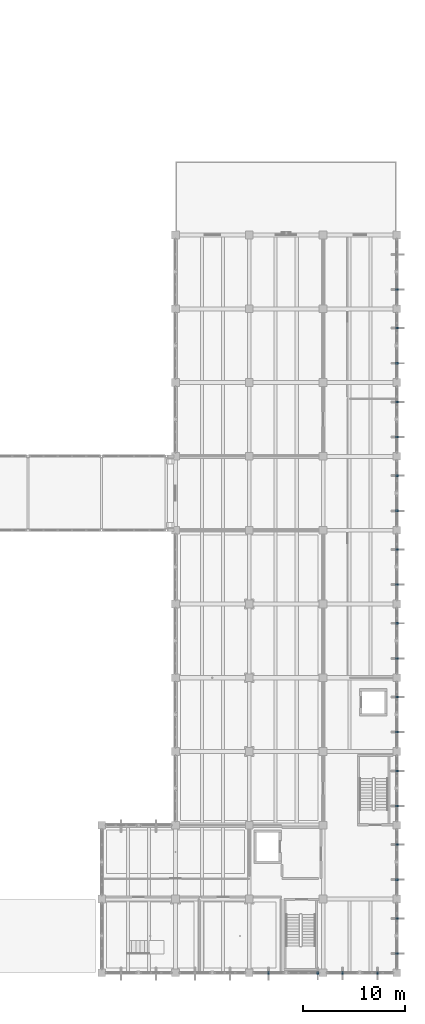
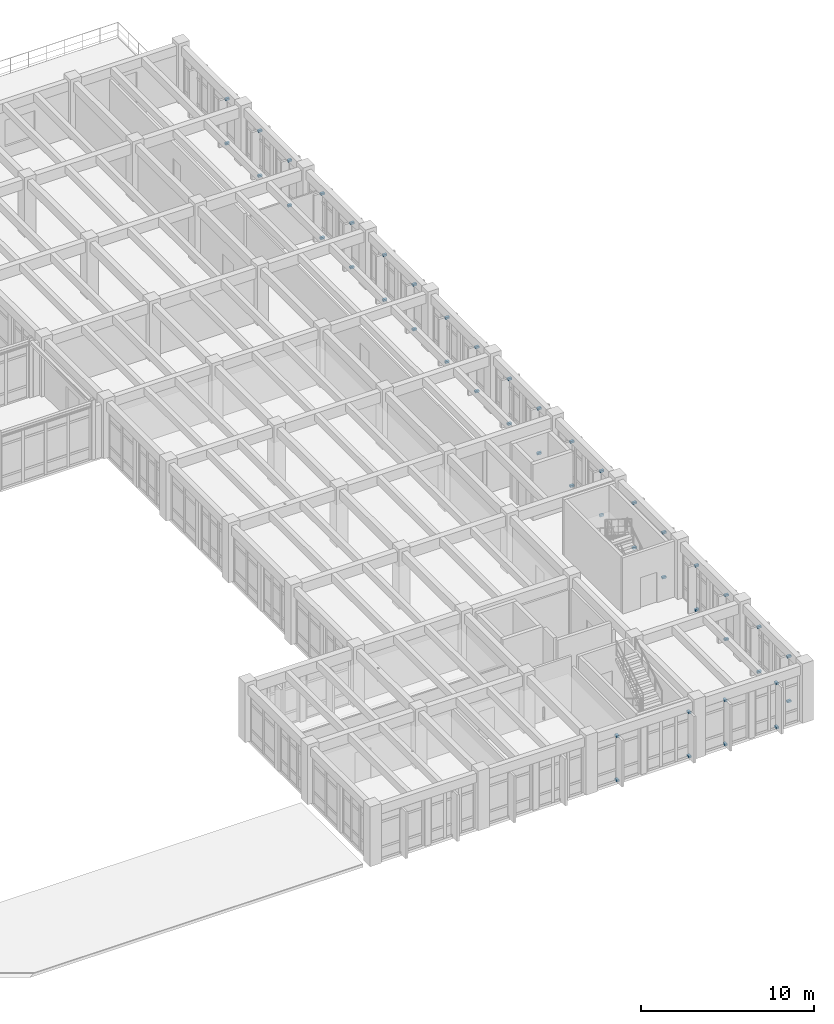
# One storey, part 127 of 136: 46 discrete accessories.
"""IFC4 building model written with IfcOpenShell, lengths in metres."""

import ifcopenshell
import ifcopenshell.guid

model = None  # the IFC model being written
_history = None  # IfcOwnerHistory: only IFC2X3 demands one
_inside = {}  # id of a spatial element -> (the spatial element, [elements in it])
_under = {}  # id of a project, library or spatial element -> (it, [spatial elements below it])
_declared = {}  # id of a project -> (the project, [libraries it declares])
_typed = {}  # id of a type object -> (the type object, [elements of that type])
_made_of = {}  # id of a material, layer set ... -> (it, [elements and type objects made of it])


def new_model(schema):
    """Start an empty IFC model of exactly this schema.

    Asked for "IFC4X3", IfcOpenShell would pick the latest addendum, in which some entities
    have other attributes; the version numbers below select the first issue.
    IFC2X3 requires an IfcOwnerHistory on every rooted entity: one is made here for all.
    """
    global model, _history
    if schema == "IFC4X3":
        model = ifcopenshell.file(schema_version=(4, 3, 0, 0))
    else:
        model = ifcopenshell.file(schema=schema)
    _inside.clear()
    _under.clear()
    _declared.clear()
    _typed.clear()
    _made_of.clear()
    _history = None
    if model.schema == "IFC2X3":
        org = make("IfcOrganization", Name="unknown")
        user = make(
            "IfcPersonAndOrganization",
            ThePerson=make("IfcPerson", FamilyName="unknown"),
            TheOrganization=org,
        )
        app = make(
            "IfcApplication",
            ApplicationDeveloper=org,
            Version="unknown",
            ApplicationFullName="unknown",
            ApplicationIdentifier="unknown",
        )
        _history = make(
            "IfcOwnerHistory",
            OwningUser=user,
            OwningApplication=app,
            ChangeAction="ADDED",
            CreationDate=0,
        )
    return model


def make(cls, **values):
    """One entity of the class cls with the attributes given. An attribute that is None is left unset."""
    return model.create_entity(
        cls, **{name: value for name, value in values.items() if value is not None}
    )


def rooted(cls, **values):
    """An entity with a GlobalId (a new one), such as an element, a storey or a relation."""
    return make(cls, GlobalId=ifcopenshell.guid.new(), OwnerHistory=_history, **values)


def si_unit(unit_type, name, prefix=None):
    """IfcSIUnit, for example si_unit("LENGTHUNIT", "METRE", prefix="MILLI")."""
    return make("IfcSIUnit", UnitType=unit_type, Prefix=prefix, Name=name)


def assignment(units):
    """IfcUnitAssignment: the units of a project."""
    return None if units is None else make("IfcUnitAssignment", Units=units)


def point(xyz):
    """IfcCartesianPoint."""
    return None if xyz is None else make("IfcCartesianPoint", Coordinates=xyz)


def direction(xyz):
    """IfcDirection."""
    return None if xyz is None else make("IfcDirection", DirectionRatios=xyz)


def frame(location, z_axis=None, x_axis=None):
    """IfcAxis2Placement3D, a coordinate frame: its origin and axes. An axis left out is left unset."""
    return make(
        "IfcAxis2Placement3D",
        Location=point(location),
        Axis=direction(z_axis),
        RefDirection=direction(x_axis),
    )


def frame_2d(location, x_axis=None):
    """IfcAxis2Placement2D, a coordinate frame in the plane: its origin and x axis."""
    return make(
        "IfcAxis2Placement2D", Location=point(location), RefDirection=direction(x_axis)
    )


def origin():
    """The frame at (0, 0, 0) with its axes left unset."""
    return frame((0.0, 0.0, 0.0))


def origin_2d():
    """The frame at (0, 0) in the plane with its x axis left unset."""
    return frame_2d((0.0, 0.0))


def place(relative_to, where):
    """IfcLocalPlacement: puts the frame where relative to a parent placement (None: the world)."""
    return make(
        "IfcLocalPlacement", PlacementRelTo=relative_to, RelativePlacement=where
    )


def context(
    kind, dimensions, precision=None, world=None, true_north=None, identifier=None
):
    """IfcGeometricRepresentationContext, for example the 3D "Model" context."""
    return make(
        "IfcGeometricRepresentationContext",
        ContextIdentifier=identifier,
        ContextType=kind,
        CoordinateSpaceDimension=dimensions,
        Precision=precision,
        WorldCoordinateSystem=world,
        TrueNorth=true_north,
    )


def subcontext(parent, identifier, kind, view, scale=None):
    """IfcGeometricRepresentationSubContext, for example "Body" below "Model"."""
    return make(
        "IfcGeometricRepresentationSubContext",
        ContextIdentifier=identifier,
        ContextType=kind,
        ParentContext=parent,
        TargetScale=scale,
        TargetView=view,
    )


def project(units=None, contexts=None):
    """IfcProject with its units and contexts."""
    return rooted(
        "IfcProject",
        Name="project",
        RepresentationContexts=contexts,
        UnitsInContext=assignment(units),
    )


def spatial(cls, under=None, at=None, **own):
    """A site, building, storey or space (cls), placed at a placement, below another one or the project."""
    s = rooted(cls, ObjectPlacement=at, **own)
    if under is not None:
        _under.setdefault(under.id(), (under, []))[1].append(s)
    return s


def profile(cls, at=None, kind="AREA", **sizes):
    """A parametric profile (cls). Its sizes go by their IFC names, for example OverallWidth=200.0."""
    return make(cls, ProfileType=kind, Position=at, **sizes)


def rectangle(**sizes):
    """IfcRectangleProfileDef."""
    return profile("IfcRectangleProfileDef", **sizes)


def extrude(swept, where, along, depth):
    """IfcExtrudedAreaSolid: the profile swept, set in the frame where, extruded along a direction by depth."""
    return make(
        "IfcExtrudedAreaSolid",
        SweptArea=swept,
        Position=where,
        ExtrudedDirection=direction(along),
        Depth=depth,
    )


def shape(context_of_items, identifier, shape_type, items):
    """IfcShapeRepresentation: the items that make up one representation, for example the "Body"."""
    return make(
        "IfcShapeRepresentation",
        ContextOfItems=context_of_items,
        RepresentationIdentifier=identifier,
        RepresentationType=shape_type,
        Items=items,
    )


def material(Name=None, Category=None):
    """IfcMaterial."""
    return make("IfcMaterial", Name=Name, Category=Category)


def made_of(thing, what):
    """Note that an element or type object is made of a material, layer set ...; save() writes the relation."""
    if what is not None:
        _made_of.setdefault(what.id(), (what, []))[1].append(thing)
    return thing


def type_object(cls, material=None, **own):
    """A type object (cls), such as IfcWallType, which elements share."""
    return made_of(rooted(cls, **own), material)


def element(
    cls,
    number,
    at=None,
    inside=None,
    cuts=None,
    type_object=None,
    material=None,
    context=None,
    identifier="Body",
    shape_type=None,
    held_by="IfcProductDefinitionShape",
    body=None,
    shapes=None,
    **own,
):
    """One element of the class cls, such as IfcWall. Its Tag is "e" and its number.

    at: its placement. inside: the storey or other place that contains it. cuts: it is an
    opening in that element (IfcRelVoidsElement). A single representation is given by context,
    identifier, shape_type and body (its items); several are given by shapes. held_by: the class
    of the entity that holds the representations. save() writes the other relations.
    """
    e = rooted(cls, Tag="e%d" % number, ObjectPlacement=at, **own)
    if body is not None:
        shapes = [shape(context, identifier, shape_type, body)]
    if shapes is not None:
        e.Representation = make(held_by, Representations=shapes)
    if inside is not None:
        _inside.setdefault(inside.id(), (inside, []))[1].append(e)
    if cuts is not None:
        rooted(
            "IfcRelVoidsElement", RelatingBuildingElement=cuts, RelatedOpeningElement=e
        )
    if type_object is not None:
        _typed.setdefault(type_object.id(), (type_object, []))[1].append(e)
    return made_of(e, material)


def aggregate(whole, parts):
    """IfcRelAggregates: a whole, such as a stair, and the parts it consists of."""
    return rooted("IfcRelAggregates", RelatingObject=whole, RelatedObjects=parts)


def save(model, path):
    """Write the relations noted so far, then the file.

    IfcRelAggregates (storeys below a building ...), IfcRelContainedInSpatialStructure (elements
    in a storey), IfcRelDefinesByType, IfcRelAssociatesMaterial and IfcRelDeclares: one each for
    every whole, place, type object, material and project.
    """
    for whole, parts in _under.values():
        aggregate(whole, parts)
    for where, things in _inside.values():
        rooted(
            "IfcRelContainedInSpatialStructure",
            RelatedElements=things,
            RelatingStructure=where,
        )
    for kind, things in _typed.values():
        rooted("IfcRelDefinesByType", RelatedObjects=things, RelatingType=kind)
    for what, things in _made_of.values():
        rooted("IfcRelAssociatesMaterial", RelatedObjects=things, RelatingMaterial=what)
    for by, libraries in _declared.values():
        rooted("IfcRelDeclares", RelatingContext=by, RelatedDefinitions=libraries)
    model.write(path)


model = new_model("IFC4")

# Units and contexts
model_context = context("Model", 3, precision=1e-05, world=origin(), true_north=direction((0.0, 1.0)))
body_context = subcontext(model_context, "Body", "Model", "MODEL_VIEW")
ifc_project = project(units=[si_unit("LENGTHUNIT", "METRE"), si_unit("AREAUNIT", "SQUARE_METRE"), si_unit("VOLUMEUNIT", "CUBIC_METRE"), si_unit("PLANEANGLEUNIT", "RADIAN"), si_unit("MASSUNIT", "GRAM", prefix="KILO")], contexts=[model_context])

# Site, building, storey
site_placement = place(None, origin())
site = spatial("IfcSite", under=ifc_project, at=site_placement, CompositionType="ELEMENT")
building_placement = place(site_placement, origin())
building = spatial("IfcBuilding", under=site, at=building_placement, Name="Koriwan Promenade Central Fire Station", CompositionType="ELEMENT")
storey_placement = place(building_placement, frame((0.0, 0.0, 5.39990234375)))
storey = spatial("IfcBuildingStorey", under=building, at=storey_placement, Name="L01", CompositionType="ELEMENT", Elevation=5.39990234375)

# Discrete accessories
ifc_material = material(Name="Steel ASTM A572 Grade 50", Category="steel")
discrete_accessory_type = type_object("IfcDiscreteAccessoryType", Name="FacadeBracket_Fin", PredefinedType="BRACKET", material=ifc_material)
for number, where, z_axis, x_axis, name in (
    (1, (170.91259765625, -0.02001953125, 0.02001953125), (0.0, 0.0, 1.0), (0.0, -1.0, 0.0), "Solar fin outrigger bracket 029-BOT"),
    (2, (170.91259765625, -0.02001953125, 3.13037109375), (0.0, 0.0, 1.0), (0.0, -1.0, 0.0), "Solar fin outrigger bracket 029-TOP"),
    (3, (167.487548828125, -0.02001953125, 0.02001953125), (0.0, 0.0, 1.0), (0.0, -1.0, 0.0), "Solar fin outrigger bracket 030-BOT"),
    (4, (167.487548828125, -0.02001953125, 3.13037109375), (0.0, 0.0, 1.0), (0.0, -1.0, 0.0), "Solar fin outrigger bracket 030-TOP"),
    (5, (165.080078125, -0.02001953125, 0.02001953125), (0.0, 0.0, 1.0), (0.0, -1.0, 0.0), "Solar fin outrigger bracket 031-BOT"),
    (6, (165.080078125, -0.02001953125, 3.13037109375), (0.0, 0.0, 1.0), (0.0, -1.0, 0.0), "Solar fin outrigger bracket 031-TOP"),
    (7, (160.28759765625, -0.02001953125, 0.02001953125), (0.0, 0.0, 1.0), (0.0, -1.0, 0.0), "Solar fin outrigger bracket 032-BOT"),
    (8, (160.28759765625, -0.02001953125, 3.13037109375), (0.0, 0.0, 1.0), (0.0, -1.0, 0.0), "Solar fin outrigger bracket 032-TOP"),
    (9, (172.820068359375, 66.6875, 0.02001953125), (0.0, 0.0, 1.0), (1.0, 0.0, 0.0), "Solar fin outrigger bracket 040-BOT"),
    (10, (172.820068359375, 66.6875, 3.14013671875), (0.0, 0.0, 1.0), (1.0, 0.0, 0.0), "Solar fin outrigger bracket 040-TOP"),
    (11, (172.820068359375, 62.91259765625, 0.02001953125), (0.0, 0.0, 1.0), (1.0, 0.0, 0.0), "Solar fin outrigger bracket 041-BOT"),
    (12, (172.820068359375, 62.91259765625, 3.18994140625), (0.0, 0.0, 1.0), (1.0, 0.0, 0.0), "Solar fin outrigger bracket 041-TOP"),
    (13, (172.820068359375, 59.487548828125, 0.02001953125), (0.0, 0.0, 1.0), (1.0, 0.0, 0.0), "Solar fin outrigger bracket 042-BOT"),
    (14, (172.820068359375, 59.487548828125, 3.18994140625), (0.0, 0.0, 1.0), (1.0, 0.0, 0.0), "Solar fin outrigger bracket 042-TOP"),
    (15, (172.820068359375, 55.71240234375, 0.02001953125), (0.0, 0.0, 1.0), (1.0, 0.0, 0.0), "Solar fin outrigger bracket 043-BOT"),
    (16, (172.820068359375, 55.71240234375, 3.13037109375), (0.0, 0.0, 1.0), (1.0, 0.0, 0.0), "Solar fin outrigger bracket 043-TOP"),
    (17, (172.820068359375, 52.28759765625, 0.02001953125), (0.0, 0.0, 1.0), (1.0, 0.0, 0.0), "Solar fin outrigger bracket 044-BOT"),
    (18, (172.820068359375, 52.28759765625, 3.13037109375), (0.0, 0.0, 1.0), (1.0, 0.0, 0.0), "Solar fin outrigger bracket 044-TOP"),
    (19, (172.820068359375, 48.512451171875, 0.02001953125), (0.0, 0.0, 1.0), (1.0, 0.0, 0.0), "Solar fin outrigger bracket 045-BOT"),
    (20, (172.820068359375, 48.512451171875, 3.18017578125), (0.0, 0.0, 1.0), (1.0, 0.0, 0.0), "Solar fin outrigger bracket 045-TOP"),
    (21, (172.820068359375, 45.08740234375, 0.02001953125), (0.0, 0.0, 1.0), (1.0, 0.0, 0.0), "Solar fin outrigger bracket 046-BOT"),
    (22, (172.820068359375, 45.08740234375, 3.18017578125), (0.0, 0.0, 1.0), (1.0, 0.0, 0.0), "Solar fin outrigger bracket 046-TOP"),
    (23, (172.820068359375, 41.3125, 0.02001953125), (0.0, 0.0, 1.0), (1.0, 0.0, 0.0), "Solar fin outrigger bracket 047-BOT"),
    (24, (172.820068359375, 41.3125, 3.13037109375), (0.0, 0.0, 1.0), (1.0, 0.0, 0.0), "Solar fin outrigger bracket 047-TOP"),
    (25, (172.820068359375, 37.887451171875, 0.02001953125), (0.0, 0.0, 1.0), (1.0, 0.0, 0.0), "Solar fin outrigger bracket 048-BOT"),
    (26, (172.820068359375, 37.887451171875, 3.13037109375), (0.0, 0.0, 1.0), (1.0, 0.0, 0.0), "Solar fin outrigger bracket 048-TOP"),
    (27, (172.820068359375, 34.112548828125, 0.02001953125), (0.0, 0.0, 1.0), (1.0, 0.0, 0.0), "Solar fin outrigger bracket 049-BOT"),
    (28, (172.820068359375, 34.112548828125, 3.18017578125), (0.0, 0.0, 1.0), (1.0, 0.0, 0.0), "Solar fin outrigger bracket 049-TOP"),
    (29, (172.820068359375, 30.6875, 0.02001953125), (0.0, 0.0, 1.0), (1.0, 0.0, 0.0), "Solar fin outrigger bracket 050-BOT"),
    (30, (172.820068359375, 30.6875, 3.18017578125), (0.0, 0.0, 1.0), (1.0, 0.0, 0.0), "Solar fin outrigger bracket 050-TOP"),
    (31, (172.820068359375, 26.91259765625, 0.02001953125), (0.0, 0.0, 1.0), (1.0, 0.0, 0.0), "Solar fin outrigger bracket 051-BOT"),
    (32, (172.820068359375, 26.91259765625, 3.13037109375), (0.0, 0.0, 1.0), (1.0, 0.0, 0.0), "Solar fin outrigger bracket 051-TOP"),
    (33, (172.820068359375, 23.487548828125, 0.02001953125), (0.0, 0.0, 1.0), (1.0, 0.0, 0.0), "Solar fin outrigger bracket 052-BOT"),
    (34, (172.820068359375, 23.487548828125, 3.13037109375), (0.0, 0.0, 1.0), (1.0, 0.0, 0.0), "Solar fin outrigger bracket 052-TOP"),
    (35, (172.820068359375, 19.71240234375, 0.02001953125), (0.0, 0.0, 1.0), (1.0, 0.0, 0.0), "Solar fin outrigger bracket 053-BOT"),
    (36, (172.820068359375, 19.71240234375, 3.18017578125), (0.0, 0.0, 1.0), (1.0, 0.0, 0.0), "Solar fin outrigger bracket 053-TOP"),
    (37, (172.820068359375, 16.28759765625, 0.02001953125), (0.0, 0.0, 1.0), (1.0, 0.0, 0.0), "Solar fin outrigger bracket 054-BOT"),
    (38, (172.820068359375, 16.28759765625, 3.18017578125), (0.0, 0.0, 1.0), (1.0, 0.0, 0.0), "Solar fin outrigger bracket 054-TOP"),
    (39, (172.820068359375, 12.512451171875, 0.02001953125), (0.0, 0.0, 1.0), (1.0, 0.0, 0.0), "Solar fin outrigger bracket 055-BOT"),
    (40, (172.820068359375, 12.512451171875, 3.13037109375), (0.0, 0.0, 1.0), (1.0, 0.0, 0.0), "Solar fin outrigger bracket 055-TOP"),
    (41, (172.820068359375, 9.08740234375, 0.02001953125), (0.0, 0.0, 1.0), (1.0, 0.0, 0.0), "Solar fin outrigger bracket 056-BOT"),
    (42, (172.820068359375, 9.08740234375, 3.13037109375), (0.0, 0.0, 1.0), (1.0, 0.0, 0.0), "Solar fin outrigger bracket 056-TOP"),
    (43, (172.820068359375, 5.3125, 0.02001953125), (0.0, 0.0, 1.0), (1.0, 0.0, 0.0), "Solar fin outrigger bracket 057-BOT"),
    (44, (172.820068359375, 5.3125, 3.18017578125), (0.0, 0.0, 1.0), (1.0, 0.0, 0.0), "Solar fin outrigger bracket 057-TOP"),
    (45, (172.820068359375, 1.887451171875, 0.02001953125), (0.0, 0.0, 1.0), (1.0, 0.0, 0.0), "Solar fin outrigger bracket 058-BOT"),
    (46, (172.820068359375, 1.887451171875, 3.18017578125), (0.0, 0.0, 1.0), (1.0, 0.0, 0.0), "Solar fin outrigger bracket 058-TOP"),
):
    element("IfcDiscreteAccessory", number, at=place(storey_placement, frame(where, z_axis=z_axis, x_axis=x_axis)), inside=storey, type_object=discrete_accessory_type, Name=name, PredefinedType="BRACKET", context=body_context, shape_type="SweptSolid", body=[
        extrude(rectangle(XDim=0.260009765625, YDim=0.159912109375, at=origin_2d()), origin(), (0.0, 0.0, 1.0), 0.139892578125),
    ])

save(model, "model.ifc")
